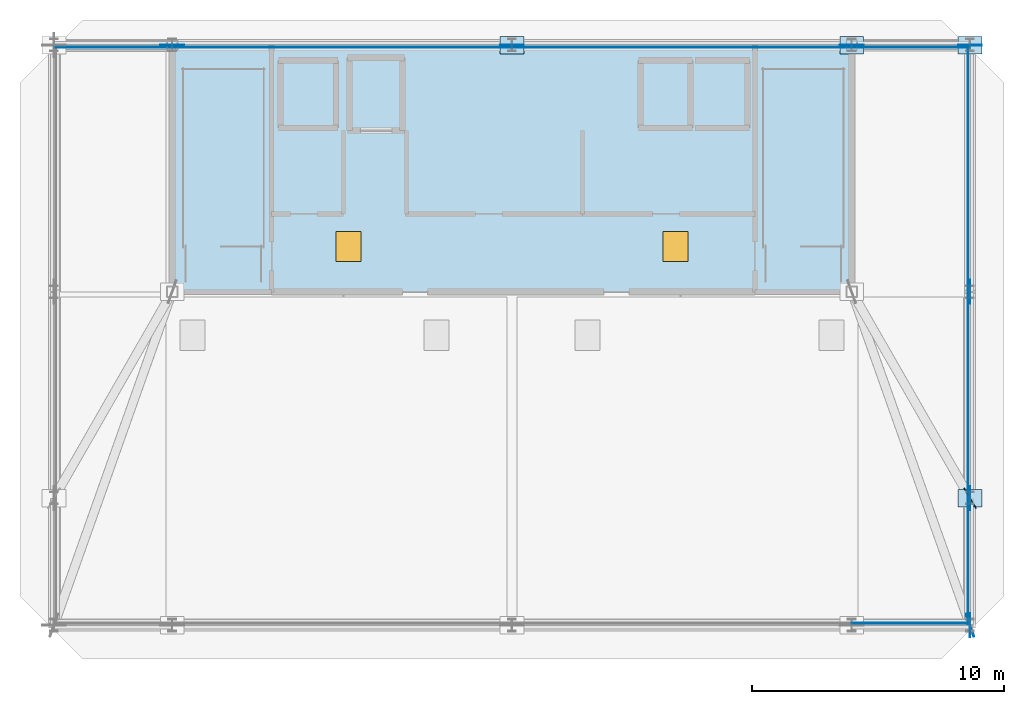
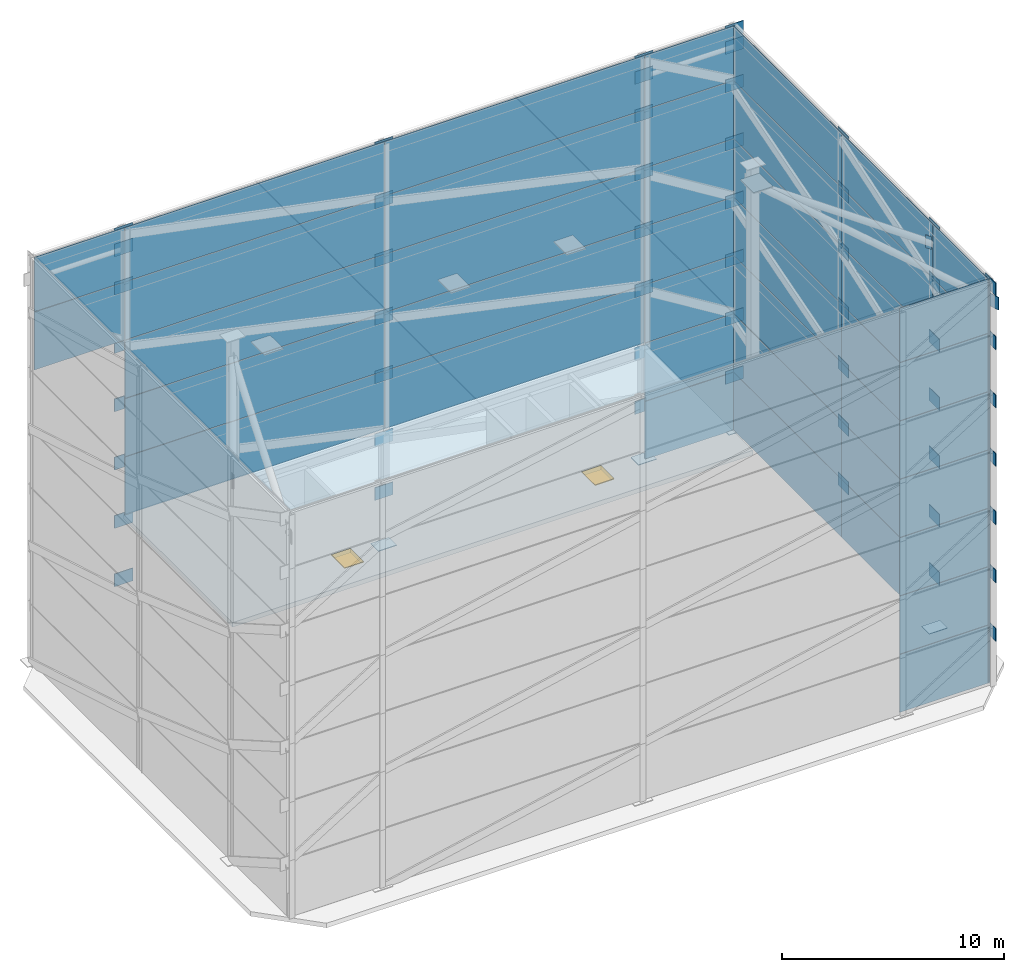
# One storey, part 5 of 8: 105 plates, 2 doors, 1 slab, 2 openings.
"""IFC4 building model written with IfcOpenShell, lengths in metres."""

from ifc_helpers import new_model, si_unit, direction, frame, origin, origin_2d, place, context, subcontext, project, spatial, polyline, rectangle, outline, extrude, material, layer, layer_set, type_object, element, fill, save


model = new_model("IFC4")

# Units and contexts
model_context = context("Model", 3, precision=1e-05, world=origin(), true_north=direction((0.0, 1.0)))
body_context = subcontext(model_context, "Body", "Model", "MODEL_VIEW")
ifc_project = project(units=[si_unit("LENGTHUNIT", "METRE"), si_unit("AREAUNIT", "SQUARE_METRE"), si_unit("VOLUMEUNIT", "CUBIC_METRE"), si_unit("PLANEANGLEUNIT", "RADIAN"), si_unit("MASSUNIT", "GRAM", prefix="KILO")], contexts=[model_context])

# Site, building, storey
site_placement = place(None, origin())
site = spatial("IfcSite", under=ifc_project, at=site_placement, CompositionType="ELEMENT")
building_placement = place(site_placement, origin())
building = spatial("IfcBuilding", under=site, at=building_placement, Name="Haevon Station Towers", CompositionType="ELEMENT")
storey_placement = place(building_placement, frame((0.0, 0.0, 270.0)))
storey = spatial("IfcBuildingStorey", under=building, at=storey_placement, Name="Roof", CompositionType="ELEMENT", Elevation=270.0)

# Plates
ifc_material_1 = material(Name="Anodised aluminium 6063-T6", Category="aluminium")
ifc_layer_1 = layer(ifc_material_1, 0.028076171875)
ifc_layer_set_1 = layer_set([ifc_layer_1], Name="Anodised aluminium 6063-T6")
plate_type_1 = type_object("IfcPlateType", Name="PL-CRNSCR", PredefinedType="USERDEFINED", material=ifc_layer_set_1)
plate_1_placement = place(storey_placement, frame((53.35009765625, 25.030029296875, 0.01025390625), z_axis=(0.0, 0.0, 1.0), x_axis=(1.0, 0.0, 0.0)))
element("IfcPlate", 1, at=plate_1_placement, inside=storey, type_object=plate_type_1, Name="Crown Perforated Acoustic Screen Plate T1-04", ObjectType="FLANGE_PLATE", PredefinedType="USERDEFINED", context=body_context, shape_type="SweptSolid", body=[
    extrude(rectangle(XDim=4.679931640625, YDim=0.028076171875, at=origin_2d()), origin(), (0.0, 0.0, 1.0), 3.179931640625),
])
plate_2_placement = place(storey_placement, frame((55.6201171875, 27.47509765625, 0.01025390625), z_axis=(0.0, 0.0, 1.0), x_axis=(0.0, 1.0, 0.0)))
element("IfcPlate", 2, at=plate_2_placement, inside=storey, type_object=plate_type_1, Name="Crown Perforated Acoustic Screen Plate T1-05", ObjectType="FLANGE_PLATE", PredefinedType="USERDEFINED", context=body_context, shape_type="SweptSolid", body=[
    extrude(rectangle(XDim=5.030029296875, YDim=0.028076171875, at=origin_2d()), origin(), (0.0, 0.0, 1.0), 3.179931640625),
])
plate_3_placement = place(storey_placement, frame((55.6201171875, 34.10009765625, 0.01025390625), z_axis=(0.0, 0.0, 1.0), x_axis=(0.0, 1.0, 0.0)))
element("IfcPlate", 3, at=plate_3_placement, inside=storey, type_object=plate_type_1, Name="Crown Perforated Acoustic Screen Plate T1-06", ObjectType="FLANGE_PLATE", PredefinedType="USERDEFINED", context=body_context, shape_type="SweptSolid", body=[
    extrude(rectangle(XDim=8.179931640625, YDim=0.028076171875, at=origin_2d()), origin(), (0.0, 0.0, 1.0), 3.179931640625),
])
plate_4_placement = place(storey_placement, frame((55.6201171875, 43.10009765625, 0.01025390625), z_axis=(0.0, 0.0, 1.0), x_axis=(0.0, 1.0, 0.0)))
element("IfcPlate", 4, at=plate_4_placement, inside=storey, type_object=plate_type_1, Name="Crown Perforated Acoustic Screen Plate T1-07", ObjectType="FLANGE_PLATE", PredefinedType="USERDEFINED", context=body_context, shape_type="SweptSolid", body=[
    extrude(rectangle(XDim=9.780029296875, YDim=0.028076171875, at=origin_2d()), origin(), (0.0, 0.0, 1.0), 3.179931640625),
])
for number, where, z_axis, x_axis, name in (
    (5, (53.35009765625, 47.919921875, 0.01025390625), (0.0, 0.0, 1.0), (-1.0, 0.0, 0.0), "Crown Perforated Acoustic Screen Plate T1-08"),
    (6, (53.35009765625, 25.030029296875, 3.2099609375), (0.0, 0.0, 1.0), (1.0, 0.0, 0.0), "Crown Perforated Acoustic Screen Plate T2-04"),
):
    element("IfcPlate", number, at=place(storey_placement, frame(where, z_axis=z_axis, x_axis=x_axis)), inside=storey, type_object=plate_type_1, Name=name, ObjectType="FLANGE_PLATE", PredefinedType="USERDEFINED", context=body_context, shape_type="SweptSolid", body=[
        extrude(rectangle(XDim=4.679931640625, YDim=0.028076171875, at=origin_2d()), origin(), (0.0, 0.0, 1.0), 3.179931640625),
    ])
plate_5_placement = place(storey_placement, frame((55.6201171875, 27.47509765625, 3.2099609375), z_axis=(0.0, 0.0, 1.0), x_axis=(0.0, 1.0, 0.0)))
element("IfcPlate", 7, at=plate_5_placement, inside=storey, type_object=plate_type_1, Name="Crown Perforated Acoustic Screen Plate T2-05", ObjectType="FLANGE_PLATE", PredefinedType="USERDEFINED", context=body_context, shape_type="SweptSolid", body=[
    extrude(rectangle(XDim=5.030029296875, YDim=0.028076171875, at=origin_2d()), origin(), (0.0, 0.0, 1.0), 3.179931640625),
])
plate_6_placement = place(storey_placement, frame((55.6201171875, 34.10009765625, 3.2099609375), z_axis=(0.0, 0.0, 1.0), x_axis=(0.0, 1.0, 0.0)))
element("IfcPlate", 8, at=plate_6_placement, inside=storey, type_object=plate_type_1, Name="Crown Perforated Acoustic Screen Plate T2-06", ObjectType="FLANGE_PLATE", PredefinedType="USERDEFINED", context=body_context, shape_type="SweptSolid", body=[
    extrude(rectangle(XDim=8.179931640625, YDim=0.028076171875, at=origin_2d()), origin(), (0.0, 0.0, 1.0), 3.179931640625),
])
plate_7_placement = place(storey_placement, frame((55.6201171875, 43.10009765625, 3.2099609375), z_axis=(0.0, 0.0, 1.0), x_axis=(0.0, 1.0, 0.0)))
element("IfcPlate", 9, at=plate_7_placement, inside=storey, type_object=plate_type_1, Name="Crown Perforated Acoustic Screen Plate T2-07", ObjectType="FLANGE_PLATE", PredefinedType="USERDEFINED", context=body_context, shape_type="SweptSolid", body=[
    extrude(rectangle(XDim=9.780029296875, YDim=0.028076171875, at=origin_2d()), origin(), (0.0, 0.0, 1.0), 3.179931640625),
])
for number, where, z_axis, x_axis, name in (
    (10, (53.35009765625, 47.919921875, 3.2099609375), (0.0, 0.0, 1.0), (-1.0, 0.0, 0.0), "Crown Perforated Acoustic Screen Plate T2-08"),
    (11, (53.35009765625, 25.030029296875, 6.41015625), (0.0, 0.0, 1.0), (1.0, 0.0, 0.0), "Crown Perforated Acoustic Screen Plate T3-04"),
):
    element("IfcPlate", number, at=place(storey_placement, frame(where, z_axis=z_axis, x_axis=x_axis)), inside=storey, type_object=plate_type_1, Name=name, ObjectType="FLANGE_PLATE", PredefinedType="USERDEFINED", context=body_context, shape_type="SweptSolid", body=[
        extrude(rectangle(XDim=4.679931640625, YDim=0.028076171875, at=origin_2d()), origin(), (0.0, 0.0, 1.0), 3.179931640625),
    ])
plate_8_placement = place(storey_placement, frame((55.6201171875, 27.47509765625, 6.41015625), z_axis=(0.0, 0.0, 1.0), x_axis=(0.0, 1.0, 0.0)))
element("IfcPlate", 12, at=plate_8_placement, inside=storey, type_object=plate_type_1, Name="Crown Perforated Acoustic Screen Plate T3-05", ObjectType="FLANGE_PLATE", PredefinedType="USERDEFINED", context=body_context, shape_type="SweptSolid", body=[
    extrude(rectangle(XDim=5.030029296875, YDim=0.028076171875, at=origin_2d()), origin(), (0.0, 0.0, 1.0), 3.179931640625),
])
plate_9_placement = place(storey_placement, frame((55.6201171875, 34.10009765625, 6.41015625), z_axis=(0.0, 0.0, 1.0), x_axis=(0.0, 1.0, 0.0)))
element("IfcPlate", 13, at=plate_9_placement, inside=storey, type_object=plate_type_1, Name="Crown Perforated Acoustic Screen Plate T3-06", ObjectType="FLANGE_PLATE", PredefinedType="USERDEFINED", context=body_context, shape_type="SweptSolid", body=[
    extrude(rectangle(XDim=8.179931640625, YDim=0.028076171875, at=origin_2d()), origin(), (0.0, 0.0, 1.0), 3.179931640625),
])
plate_10_placement = place(storey_placement, frame((55.6201171875, 43.10009765625, 6.41015625), z_axis=(0.0, 0.0, 1.0), x_axis=(0.0, 1.0, 0.0)))
element("IfcPlate", 14, at=plate_10_placement, inside=storey, type_object=plate_type_1, Name="Crown Perforated Acoustic Screen Plate T3-07", ObjectType="FLANGE_PLATE", PredefinedType="USERDEFINED", context=body_context, shape_type="SweptSolid", body=[
    extrude(rectangle(XDim=9.780029296875, YDim=0.028076171875, at=origin_2d()), origin(), (0.0, 0.0, 1.0), 3.179931640625),
])
plate_11_placement = place(storey_placement, frame((53.35009765625, 47.919921875, 6.41015625), z_axis=(0.0, 0.0, 1.0), x_axis=(-1.0, 0.0, 0.0)))
element("IfcPlate", 15, at=plate_11_placement, inside=storey, type_object=plate_type_1, Name="Crown Perforated Acoustic Screen Plate T3-08", ObjectType="FLANGE_PLATE", PredefinedType="USERDEFINED", context=body_context, shape_type="SweptSolid", body=[
    extrude(rectangle(XDim=4.679931640625, YDim=0.028076171875, at=origin_2d()), origin(), (0.0, 0.0, 1.0), 3.179931640625),
])
for number, where, z_axis, x_axis, name in (
    (16, (44.25, 47.919921875, 6.41015625), (0.0, 0.0, 1.0), (-1.0, 0.0, 0.0), "Crown Perforated Acoustic Screen Plate T3-09"),
    (17, (30.75, 47.919921875, 6.41015625), (0.0, 0.0, 1.0), (-1.0, 0.0, 0.0), "Crown Perforated Acoustic Screen Plate T3-10"),
):
    element("IfcPlate", number, at=place(storey_placement, frame(where, z_axis=z_axis, x_axis=x_axis)), inside=storey, type_object=plate_type_1, Name=name, ObjectType="FLANGE_PLATE", PredefinedType="USERDEFINED", context=body_context, shape_type="SweptSolid", body=[
        extrude(rectangle(XDim=13.47998046875, YDim=0.028076171875, at=origin_2d()), origin(), (0.0, 0.0, 1.0), 3.179931640625),
    ])
plate_12_placement = place(storey_placement, frame((53.35009765625, 25.030029296875, 9.60986328125), z_axis=(0.0, 0.0, 1.0), x_axis=(1.0, 0.0, 0.0)))
element("IfcPlate", 18, at=plate_12_placement, inside=storey, type_object=plate_type_1, Name="Crown Perforated Acoustic Screen Plate T4-04", ObjectType="FLANGE_PLATE", PredefinedType="USERDEFINED", context=body_context, shape_type="SweptSolid", body=[
    extrude(rectangle(XDim=4.679931640625, YDim=0.028076171875, at=origin_2d()), origin(), (0.0, 0.0, 1.0), 3.179931640625),
])
plate_13_placement = place(storey_placement, frame((55.6201171875, 27.47509765625, 9.60986328125), z_axis=(0.0, 0.0, 1.0), x_axis=(0.0, 1.0, 0.0)))
element("IfcPlate", 19, at=plate_13_placement, inside=storey, type_object=plate_type_1, Name="Crown Perforated Acoustic Screen Plate T4-05", ObjectType="FLANGE_PLATE", PredefinedType="USERDEFINED", context=body_context, shape_type="SweptSolid", body=[
    extrude(rectangle(XDim=5.030029296875, YDim=0.028076171875, at=origin_2d()), origin(), (0.0, 0.0, 1.0), 3.179931640625),
])
plate_14_placement = place(storey_placement, frame((55.6201171875, 34.10009765625, 9.60986328125), z_axis=(0.0, 0.0, 1.0), x_axis=(0.0, 1.0, 0.0)))
element("IfcPlate", 20, at=plate_14_placement, inside=storey, type_object=plate_type_1, Name="Crown Perforated Acoustic Screen Plate T4-06", ObjectType="FLANGE_PLATE", PredefinedType="USERDEFINED", context=body_context, shape_type="SweptSolid", body=[
    extrude(rectangle(XDim=8.179931640625, YDim=0.028076171875, at=origin_2d()), origin(), (0.0, 0.0, 1.0), 3.179931640625),
])
plate_15_placement = place(storey_placement, frame((55.6201171875, 43.10009765625, 9.60986328125), z_axis=(0.0, 0.0, 1.0), x_axis=(0.0, 1.0, 0.0)))
element("IfcPlate", 21, at=plate_15_placement, inside=storey, type_object=plate_type_1, Name="Crown Perforated Acoustic Screen Plate T4-07", ObjectType="FLANGE_PLATE", PredefinedType="USERDEFINED", context=body_context, shape_type="SweptSolid", body=[
    extrude(rectangle(XDim=9.780029296875, YDim=0.028076171875, at=origin_2d()), origin(), (0.0, 0.0, 1.0), 3.179931640625),
])
plate_16_placement = place(storey_placement, frame((53.35009765625, 47.919921875, 9.60986328125), z_axis=(0.0, 0.0, 1.0), x_axis=(-1.0, 0.0, 0.0)))
element("IfcPlate", 22, at=plate_16_placement, inside=storey, type_object=plate_type_1, Name="Crown Perforated Acoustic Screen Plate T4-08", ObjectType="FLANGE_PLATE", PredefinedType="USERDEFINED", context=body_context, shape_type="SweptSolid", body=[
    extrude(rectangle(XDim=4.679931640625, YDim=0.028076171875, at=origin_2d()), origin(), (0.0, 0.0, 1.0), 3.179931640625),
])
for number, where, z_axis, x_axis, name in (
    (23, (44.25, 47.919921875, 9.60986328125), (0.0, 0.0, 1.0), (-1.0, 0.0, 0.0), "Crown Perforated Acoustic Screen Plate T4-09"),
    (24, (30.75, 47.919921875, 9.60986328125), (0.0, 0.0, 1.0), (-1.0, 0.0, 0.0), "Crown Perforated Acoustic Screen Plate T4-10"),
):
    element("IfcPlate", number, at=place(storey_placement, frame(where, z_axis=z_axis, x_axis=x_axis)), inside=storey, type_object=plate_type_1, Name=name, ObjectType="FLANGE_PLATE", PredefinedType="USERDEFINED", context=body_context, shape_type="SweptSolid", body=[
        extrude(rectangle(XDim=13.47998046875, YDim=0.028076171875, at=origin_2d()), origin(), (0.0, 0.0, 1.0), 3.179931640625),
    ])
plate_17_placement = place(storey_placement, frame((53.35009765625, 25.030029296875, 12.81005859375), z_axis=(0.0, 0.0, 1.0), x_axis=(1.0, 0.0, 0.0)))
element("IfcPlate", 25, at=plate_17_placement, inside=storey, type_object=plate_type_1, Name="Crown Perforated Acoustic Screen Plate T5-04", ObjectType="FLANGE_PLATE", PredefinedType="USERDEFINED", context=body_context, shape_type="SweptSolid", body=[
    extrude(rectangle(XDim=4.679931640625, YDim=0.028076171875, at=origin_2d()), origin(), (0.0, 0.0, 1.0), 3.179931640625),
])
plate_18_placement = place(storey_placement, frame((55.6201171875, 27.47509765625, 12.81005859375), z_axis=(0.0, 0.0, 1.0), x_axis=(0.0, 1.0, 0.0)))
element("IfcPlate", 26, at=plate_18_placement, inside=storey, type_object=plate_type_1, Name="Crown Perforated Acoustic Screen Plate T5-05", ObjectType="FLANGE_PLATE", PredefinedType="USERDEFINED", context=body_context, shape_type="SweptSolid", body=[
    extrude(rectangle(XDim=5.030029296875, YDim=0.028076171875, at=origin_2d()), origin(), (0.0, 0.0, 1.0), 3.179931640625),
])
plate_19_placement = place(storey_placement, frame((55.6201171875, 34.10009765625, 12.81005859375), z_axis=(0.0, 0.0, 1.0), x_axis=(0.0, 1.0, 0.0)))
element("IfcPlate", 27, at=plate_19_placement, inside=storey, type_object=plate_type_1, Name="Crown Perforated Acoustic Screen Plate T5-06", ObjectType="FLANGE_PLATE", PredefinedType="USERDEFINED", context=body_context, shape_type="SweptSolid", body=[
    extrude(rectangle(XDim=8.179931640625, YDim=0.028076171875, at=origin_2d()), origin(), (0.0, 0.0, 1.0), 3.179931640625),
])
plate_20_placement = place(storey_placement, frame((55.6201171875, 43.10009765625, 12.81005859375), z_axis=(0.0, 0.0, 1.0), x_axis=(0.0, 1.0, 0.0)))
element("IfcPlate", 28, at=plate_20_placement, inside=storey, type_object=plate_type_1, Name="Crown Perforated Acoustic Screen Plate T5-07", ObjectType="FLANGE_PLATE", PredefinedType="USERDEFINED", context=body_context, shape_type="SweptSolid", body=[
    extrude(rectangle(XDim=9.780029296875, YDim=0.028076171875, at=origin_2d()), origin(), (0.0, 0.0, 1.0), 3.179931640625),
])
plate_21_placement = place(storey_placement, frame((53.35009765625, 47.919921875, 12.81005859375), z_axis=(0.0, 0.0, 1.0), x_axis=(-1.0, 0.0, 0.0)))
element("IfcPlate", 29, at=plate_21_placement, inside=storey, type_object=plate_type_1, Name="Crown Perforated Acoustic Screen Plate T5-08", ObjectType="FLANGE_PLATE", PredefinedType="USERDEFINED", context=body_context, shape_type="SweptSolid", body=[
    extrude(rectangle(XDim=4.679931640625, YDim=0.028076171875, at=origin_2d()), origin(), (0.0, 0.0, 1.0), 3.179931640625),
])
for number, where, z_axis, x_axis, name in (
    (30, (44.25, 47.919921875, 12.81005859375), (0.0, 0.0, 1.0), (-1.0, 0.0, 0.0), "Crown Perforated Acoustic Screen Plate T5-09"),
    (31, (30.75, 47.919921875, 12.81005859375), (0.0, 0.0, 1.0), (-1.0, 0.0, 0.0), "Crown Perforated Acoustic Screen Plate T5-10"),
):
    element("IfcPlate", number, at=place(storey_placement, frame(where, z_axis=z_axis, x_axis=x_axis)), inside=storey, type_object=plate_type_1, Name=name, ObjectType="FLANGE_PLATE", PredefinedType="USERDEFINED", context=body_context, shape_type="SweptSolid", body=[
        extrude(rectangle(XDim=13.47998046875, YDim=0.028076171875, at=origin_2d()), origin(), (0.0, 0.0, 1.0), 3.179931640625),
    ])
plate_22_placement = place(storey_placement, frame((53.35009765625, 25.030029296875, 16.01025390625), z_axis=(0.0, 0.0, 1.0), x_axis=(1.0, 0.0, 0.0)))
element("IfcPlate", 32, at=plate_22_placement, inside=storey, type_object=plate_type_1, Name="Crown Perforated Acoustic Screen Plate T6-04", ObjectType="FLANGE_PLATE", PredefinedType="USERDEFINED", context=body_context, shape_type="SweptSolid", body=[
    extrude(rectangle(XDim=4.679931640625, YDim=0.028076171875, at=origin_2d()), origin(), (0.0, 0.0, 1.0), 3.179931640625),
])
plate_23_placement = place(storey_placement, frame((55.6201171875, 27.47509765625, 16.01025390625), z_axis=(0.0, 0.0, 1.0), x_axis=(0.0, 1.0, 0.0)))
element("IfcPlate", 33, at=plate_23_placement, inside=storey, type_object=plate_type_1, Name="Crown Perforated Acoustic Screen Plate T6-05", ObjectType="FLANGE_PLATE", PredefinedType="USERDEFINED", context=body_context, shape_type="SweptSolid", body=[
    extrude(rectangle(XDim=5.030029296875, YDim=0.028076171875, at=origin_2d()), origin(), (0.0, 0.0, 1.0), 3.179931640625),
])
plate_24_placement = place(storey_placement, frame((55.6201171875, 34.10009765625, 16.01025390625), z_axis=(0.0, 0.0, 1.0), x_axis=(0.0, 1.0, 0.0)))
element("IfcPlate", 34, at=plate_24_placement, inside=storey, type_object=plate_type_1, Name="Crown Perforated Acoustic Screen Plate T6-06", ObjectType="FLANGE_PLATE", PredefinedType="USERDEFINED", context=body_context, shape_type="SweptSolid", body=[
    extrude(rectangle(XDim=8.179931640625, YDim=0.028076171875, at=origin_2d()), origin(), (0.0, 0.0, 1.0), 3.179931640625),
])
plate_25_placement = place(storey_placement, frame((55.6201171875, 43.10009765625, 16.01025390625), z_axis=(0.0, 0.0, 1.0), x_axis=(0.0, 1.0, 0.0)))
element("IfcPlate", 35, at=plate_25_placement, inside=storey, type_object=plate_type_1, Name="Crown Perforated Acoustic Screen Plate T6-07", ObjectType="FLANGE_PLATE", PredefinedType="USERDEFINED", context=body_context, shape_type="SweptSolid", body=[
    extrude(rectangle(XDim=9.780029296875, YDim=0.028076171875, at=origin_2d()), origin(), (0.0, 0.0, 1.0), 3.179931640625),
])
plate_26_placement = place(storey_placement, frame((53.35009765625, 47.919921875, 16.01025390625), z_axis=(0.0, 0.0, 1.0), x_axis=(-1.0, 0.0, 0.0)))
element("IfcPlate", 36, at=plate_26_placement, inside=storey, type_object=plate_type_1, Name="Crown Perforated Acoustic Screen Plate T6-08", ObjectType="FLANGE_PLATE", PredefinedType="USERDEFINED", context=body_context, shape_type="SweptSolid", body=[
    extrude(rectangle(XDim=4.679931640625, YDim=0.028076171875, at=origin_2d()), origin(), (0.0, 0.0, 1.0), 3.179931640625),
])
for number, where, z_axis, x_axis, name in (
    (37, (44.25, 47.919921875, 16.01025390625), (0.0, 0.0, 1.0), (-1.0, 0.0, 0.0), "Crown Perforated Acoustic Screen Plate T6-09"),
    (38, (30.75, 47.919921875, 16.01025390625), (0.0, 0.0, 1.0), (-1.0, 0.0, 0.0), "Crown Perforated Acoustic Screen Plate T6-10"),
):
    element("IfcPlate", number, at=place(storey_placement, frame(where, z_axis=z_axis, x_axis=x_axis)), inside=storey, type_object=plate_type_1, Name=name, ObjectType="FLANGE_PLATE", PredefinedType="USERDEFINED", context=body_context, shape_type="SweptSolid", body=[
        extrude(rectangle(XDim=13.47998046875, YDim=0.028076171875, at=origin_2d()), origin(), (0.0, 0.0, 1.0), 3.179931640625),
    ])
plate_27_placement = place(storey_placement, frame((21.64990234375, 47.919921875, 16.01025390625), z_axis=(0.0, 0.0, 1.0), x_axis=(-1.0, 0.0, 0.0)))
element("IfcPlate", 39, at=plate_27_placement, inside=storey, type_object=plate_type_1, Name="Crown Perforated Acoustic Screen Plate T6-11", ObjectType="FLANGE_PLATE", PredefinedType="USERDEFINED", context=body_context, shape_type="SweptSolid", body=[
    extrude(rectangle(XDim=4.679931640625, YDim=0.028076171875, at=origin_2d()), origin(), (0.0, 0.0, 1.0), 3.179931640625),
])
plate_28_placement = place(storey_placement, frame((53.35009765625, 25.030029296875, 19.2099609375), z_axis=(0.0, 0.0, 1.0), x_axis=(1.0, 0.0, 0.0)))
element("IfcPlate", 40, at=plate_28_placement, inside=storey, type_object=plate_type_1, Name="Crown Perforated Acoustic Screen Plate T7-04", ObjectType="FLANGE_PLATE", PredefinedType="USERDEFINED", context=body_context, shape_type="SweptSolid", body=[
    extrude(rectangle(XDim=4.679931640625, YDim=0.028076171875, at=origin_2d()), origin(), (0.0, 0.0, 1.0), 2.97998046875),
])
plate_29_placement = place(storey_placement, frame((55.6201171875, 27.47509765625, 19.2099609375), z_axis=(0.0, 0.0, 1.0), x_axis=(0.0, 1.0, 0.0)))
element("IfcPlate", 41, at=plate_29_placement, inside=storey, type_object=plate_type_1, Name="Crown Perforated Acoustic Screen Plate T7-05", ObjectType="FLANGE_PLATE", PredefinedType="USERDEFINED", context=body_context, shape_type="SweptSolid", body=[
    extrude(rectangle(XDim=5.030029296875, YDim=0.028076171875, at=origin_2d()), origin(), (0.0, 0.0, 1.0), 2.97998046875),
])
plate_30_placement = place(storey_placement, frame((55.6201171875, 34.10009765625, 19.2099609375), z_axis=(0.0, 0.0, 1.0), x_axis=(0.0, 1.0, 0.0)))
element("IfcPlate", 42, at=plate_30_placement, inside=storey, type_object=plate_type_1, Name="Crown Perforated Acoustic Screen Plate T7-06", ObjectType="FLANGE_PLATE", PredefinedType="USERDEFINED", context=body_context, shape_type="SweptSolid", body=[
    extrude(rectangle(XDim=8.179931640625, YDim=0.028076171875, at=origin_2d()), origin(), (0.0, 0.0, 1.0), 2.97998046875),
])
plate_31_placement = place(storey_placement, frame((55.6201171875, 43.10009765625, 19.2099609375), z_axis=(0.0, 0.0, 1.0), x_axis=(0.0, 1.0, 0.0)))
element("IfcPlate", 43, at=plate_31_placement, inside=storey, type_object=plate_type_1, Name="Crown Perforated Acoustic Screen Plate T7-07", ObjectType="FLANGE_PLATE", PredefinedType="USERDEFINED", context=body_context, shape_type="SweptSolid", body=[
    extrude(rectangle(XDim=9.780029296875, YDim=0.028076171875, at=origin_2d()), origin(), (0.0, 0.0, 1.0), 2.97998046875),
])
plate_32_placement = place(storey_placement, frame((53.35009765625, 47.919921875, 19.2099609375), z_axis=(0.0, 0.0, 1.0), x_axis=(-1.0, 0.0, 0.0)))
element("IfcPlate", 44, at=plate_32_placement, inside=storey, type_object=plate_type_1, Name="Crown Perforated Acoustic Screen Plate T7-08", ObjectType="FLANGE_PLATE", PredefinedType="USERDEFINED", context=body_context, shape_type="SweptSolid", body=[
    extrude(rectangle(XDim=4.679931640625, YDim=0.028076171875, at=origin_2d()), origin(), (0.0, 0.0, 1.0), 2.97998046875),
])
for number, where, z_axis, x_axis, name in (
    (45, (44.25, 47.919921875, 19.2099609375), (0.0, 0.0, 1.0), (-1.0, 0.0, 0.0), "Crown Perforated Acoustic Screen Plate T7-09"),
    (46, (30.75, 47.919921875, 19.2099609375), (0.0, 0.0, 1.0), (-1.0, 0.0, 0.0), "Crown Perforated Acoustic Screen Plate T7-10"),
):
    element("IfcPlate", number, at=place(storey_placement, frame(where, z_axis=z_axis, x_axis=x_axis)), inside=storey, type_object=plate_type_1, Name=name, ObjectType="FLANGE_PLATE", PredefinedType="USERDEFINED", context=body_context, shape_type="SweptSolid", body=[
        extrude(rectangle(XDim=13.47998046875, YDim=0.028076171875, at=origin_2d()), origin(), (0.0, 0.0, 1.0), 2.97998046875),
    ])
plate_33_placement = place(storey_placement, frame((21.64990234375, 47.919921875, 19.2099609375), z_axis=(0.0, 0.0, 1.0), x_axis=(-1.0, 0.0, 0.0)))
element("IfcPlate", 47, at=plate_33_placement, inside=storey, type_object=plate_type_1, Name="Crown Perforated Acoustic Screen Plate T7-11", ObjectType="FLANGE_PLATE", PredefinedType="USERDEFINED", context=body_context, shape_type="SweptSolid", body=[
    extrude(rectangle(XDim=4.679931640625, YDim=0.028076171875, at=origin_2d()), origin(), (0.0, 0.0, 1.0), 2.97998046875),
])
ifc_material_2 = material(Name="PL-FLG2", Category="steel")
ifc_layer_2 = layer(ifc_material_2, 0.035888671875)
ifc_layer_set_2 = layer_set([ifc_layer_2], Name="PL-FLG2")
plate_type_2 = type_object("IfcPlateType", Name="PL-FLG2", PredefinedType="USERDEFINED", material=ifc_layer_set_2)
for number, where, z_axis, x_axis, name in (
    (48, (55.699951171875, 30.0, 0.0), (0.0, 0.0, 1.0), (1.0, 0.0, 0.0), "CROWN FRAME Base Plate 06"),
    (49, (55.699951171875, 48.0, 0.0), (0.0, 0.0, 1.0), (1.0, 0.0, 0.0), "CROWN FRAME Base Plate 08"),
    (50, (51.0, 48.0, 0.0), (0.0, 0.0, 1.0), (1.0, 0.0, 0.0), "CROWN FRAME Base Plate 09"),
    (51, (37.5, 48.0, 0.0), (0.0, 0.0, 1.0), (1.0, 0.0, 0.0), "CROWN FRAME Base Plate 10"),
):
    element("IfcPlate", number, at=place(storey_placement, frame(where, z_axis=z_axis, x_axis=x_axis)), inside=storey, type_object=plate_type_2, Name=name, ObjectType="FLANGE_PLATE", PredefinedType="USERDEFINED", context=body_context, shape_type="SweptSolid", body=[
        extrude(rectangle(XDim=0.949951171875, YDim=0.699951171875, at=origin_2d()), origin(), (0.0, 0.0, 1.0), 0.035888671875),
    ])
for number, where, z_axis, x_axis, name in (
    (52, (55.699951171875, 24.949951171875, 2.60009765625), (0.0, 0.0, 1.0), (0.0, 1.0, 0.0), "PL-CRN-NODE-T1-05"),
    (53, (55.699951171875, 30.0, 2.60009765625), (0.0, 0.0, 1.0), (0.0, 1.0, 0.0), "PL-CRN-NODE-T1-06"),
    (54, (55.699951171875, 38.199951171875, 2.60009765625), (0.0, 0.0, 1.0), (0.0, 1.0, 0.0), "PL-CRN-NODE-T1-07"),
    (55, (55.699951171875, 48.0, 2.60009765625), (0.0, 0.0, 1.0), (-1.0, 0.0, 0.0), "PL-CRN-NODE-T1-08"),
    (56, (51.0, 48.0, 2.60009765625), (0.0, 0.0, 1.0), (-1.0, 0.0, 0.0), "PL-CRN-NODE-T1-09"),
    (57, (37.5, 48.0, 2.60009765625), (0.0, 0.0, 1.0), (-1.0, 0.0, 0.0), "PL-CRN-NODE-T1-10"),
    (58, (24.0, 48.0, 2.60009765625), (0.0, 0.0, 1.0), (-1.0, 0.0, 0.0), "PL-CRN-NODE-T1-11"),
    (59, (55.699951171875, 24.949951171875, 5.7998046875), (0.0, 0.0, 1.0), (0.0, 1.0, 0.0), "PL-CRN-NODE-T2-05"),
    (60, (55.699951171875, 30.0, 5.7998046875), (0.0, 0.0, 1.0), (0.0, 1.0, 0.0), "PL-CRN-NODE-T2-06"),
    (61, (55.699951171875, 38.199951171875, 5.7998046875), (0.0, 0.0, 1.0), (0.0, 1.0, 0.0), "PL-CRN-NODE-T2-07"),
    (62, (55.699951171875, 48.0, 5.7998046875), (0.0, 0.0, 1.0), (-1.0, 0.0, 0.0), "PL-CRN-NODE-T2-08"),
    (63, (51.0, 48.0, 5.5498046875), (0.0, 0.0, 1.0), (-1.0, 0.0, 0.0), "PL-CRN-NODE-T2-09"),
    (64, (37.5, 48.0, 5.5498046875), (0.0, 0.0, 1.0), (-1.0, 0.0, 0.0), "PL-CRN-NODE-T2-10"),
    (65, (24.0, 48.0, 5.7998046875), (0.0, 0.0, 1.0), (-1.0, 0.0, 0.0), "PL-CRN-NODE-T2-11"),
    (66, (55.699951171875, 24.949951171875, 9.0), (0.0, 0.0, 1.0), (0.0, 1.0, 0.0), "PL-CRN-NODE-T3-05"),
    (67, (55.699951171875, 30.0, 9.0), (0.0, 0.0, 1.0), (0.0, 1.0, 0.0), "PL-CRN-NODE-T3-06"),
    (68, (55.699951171875, 38.199951171875, 9.0), (0.0, 0.0, 1.0), (0.0, 1.0, 0.0), "PL-CRN-NODE-T3-07"),
    (69, (55.699951171875, 48.0, 9.0), (0.0, 0.0, 1.0), (-1.0, 0.0, 0.0), "PL-CRN-NODE-T3-08"),
    (70, (51.0, 48.0, 9.0), (0.0, 0.0, 1.0), (-1.0, 0.0, 0.0), "PL-CRN-NODE-T3-09"),
    (71, (37.5, 48.0, 9.0), (0.0, 0.0, 1.0), (-1.0, 0.0, 0.0), "PL-CRN-NODE-T3-10"),
    (72, (24.0, 48.0, 9.0), (0.0, 0.0, 1.0), (-1.0, 0.0, 0.0), "PL-CRN-NODE-T3-11"),
    (73, (55.699951171875, 24.949951171875, 12.2001953125), (0.0, 0.0, 1.0), (0.0, 1.0, 0.0), "PL-CRN-NODE-T4-05"),
    (74, (55.699951171875, 30.0, 12.2001953125), (0.0, 0.0, 1.0), (0.0, 1.0, 0.0), "PL-CRN-NODE-T4-06"),
    (75, (55.699951171875, 38.199951171875, 12.2001953125), (0.0, 0.0, 1.0), (0.0, 1.0, 0.0), "PL-CRN-NODE-T4-07"),
    (76, (55.699951171875, 48.0, 12.2001953125), (0.0, 0.0, 1.0), (-1.0, 0.0, 0.0), "PL-CRN-NODE-T4-08"),
    (77, (51.0, 48.0, 12.2001953125), (0.0, 0.0, 1.0), (-1.0, 0.0, 0.0), "PL-CRN-NODE-T4-09"),
    (78, (37.5, 48.0, 12.2001953125), (0.0, 0.0, 1.0), (-1.0, 0.0, 0.0), "PL-CRN-NODE-T4-10"),
    (79, (24.0, 48.0, 12.2001953125), (0.0, 0.0, 1.0), (-1.0, 0.0, 0.0), "PL-CRN-NODE-T4-11"),
    (80, (55.699951171875, 24.949951171875, 15.39990234375), (0.0, 0.0, 1.0), (0.0, 1.0, 0.0), "PL-CRN-NODE-T5-05"),
    (81, (55.699951171875, 30.0, 15.39990234375), (0.0, 0.0, 1.0), (0.0, 1.0, 0.0), "PL-CRN-NODE-T5-06"),
    (82, (55.699951171875, 38.199951171875, 15.39990234375), (0.0, 0.0, 1.0), (0.0, 1.0, 0.0), "PL-CRN-NODE-T5-07"),
    (83, (55.699951171875, 48.0, 15.39990234375), (0.0, 0.0, 1.0), (-1.0, 0.0, 0.0), "PL-CRN-NODE-T5-08"),
    (84, (51.0, 48.0, 15.39990234375), (0.0, 0.0, 1.0), (-1.0, 0.0, 0.0), "PL-CRN-NODE-T5-09"),
    (85, (37.5, 48.0, 15.39990234375), (0.0, 0.0, 1.0), (-1.0, 0.0, 0.0), "PL-CRN-NODE-T5-10"),
    (86, (24.0, 48.0, 15.39990234375), (0.0, 0.0, 1.0), (-1.0, 0.0, 0.0), "PL-CRN-NODE-T5-11"),
    (87, (55.699951171875, 24.949951171875, 18.60009765625), (0.0, 0.0, 1.0), (0.0, 1.0, 0.0), "PL-CRN-NODE-T6-05"),
    (88, (55.699951171875, 30.0, 18.60009765625), (0.0, 0.0, 1.0), (0.0, 1.0, 0.0), "PL-CRN-NODE-T6-06"),
    (89, (55.699951171875, 38.199951171875, 18.60009765625), (0.0, 0.0, 1.0), (0.0, 1.0, 0.0), "PL-CRN-NODE-T6-07"),
    (90, (55.699951171875, 48.0, 18.60009765625), (0.0, 0.0, 1.0), (-1.0, 0.0, 0.0), "PL-CRN-NODE-T6-08"),
    (91, (51.0, 48.0, 18.60009765625), (0.0, 0.0, 1.0), (-1.0, 0.0, 0.0), "PL-CRN-NODE-T6-09"),
    (92, (37.5, 48.0, 18.60009765625), (0.0, 0.0, 1.0), (-1.0, 0.0, 0.0), "PL-CRN-NODE-T6-10"),
    (93, (24.0, 48.0, 18.60009765625), (0.0, 0.0, 1.0), (-1.0, 0.0, 0.0), "PL-CRN-NODE-T6-11"),
    (94, (55.699951171875, 24.949951171875, 21.5498046875), (0.0, 0.0, 1.0), (0.0, 1.0, 0.0), "PL-CRN-NODE-T7-05"),
    (95, (55.699951171875, 30.0, 21.5498046875), (0.0, 0.0, 1.0), (0.0, 1.0, 0.0), "PL-CRN-NODE-T7-06"),
    (96, (55.699951171875, 38.199951171875, 21.5498046875), (0.0, 0.0, 1.0), (0.0, 1.0, 0.0), "PL-CRN-NODE-T7-07"),
    (97, (55.699951171875, 48.0, 21.5498046875), (0.0, 0.0, 1.0), (-1.0, 0.0, 0.0), "PL-CRN-NODE-T7-08"),
    (98, (51.0, 48.0, 21.5498046875), (0.0, 0.0, 1.0), (-1.0, 0.0, 0.0), "PL-CRN-NODE-T7-09"),
    (99, (37.5, 48.0, 21.5498046875), (0.0, 0.0, 1.0), (-1.0, 0.0, 0.0), "PL-CRN-NODE-T7-10"),
    (100, (24.0, 48.0, 21.5498046875), (0.0, 0.0, 1.0), (-1.0, 0.0, 0.0), "PL-CRN-NODE-T7-11"),
    (101, (55.699951171875, 24.949951171875, 20.7001953125), (0.0, 0.0, 1.0), (-0.334308603944, 0.942463663665, 0.0), "PL-CRN-ST-2-E1"),
    (102, (55.699951171875, 48.0, 20.7001953125), (0.0, 0.0, 1.0), (-1.0, 0.0, 0.0), "PL-CRN-ST-3-E1"),
    (103, (51.0, 48.0, 20.7001953125), (0.0, 0.0, 1.0), (-1.0, 0.0, 0.0), "PL-CRN-ST-3-E2"),
    (104, (24.0, 48.0, 20.7001953125), (0.0, 0.0, 1.0), (1.0, 0.0, 0.0), "PL-CRN-ST-4-E2"),
    (105, (55.699951171875, 30.0, 20.7001953125), (0.0, 0.0, 1.0), (-0.497278352263, 0.867591055954, 0.0), "PL-CRN-ST-6-E1"),
):
    element("IfcPlate", number, at=place(storey_placement, frame(where, z_axis=z_axis, x_axis=x_axis)), inside=storey, type_object=plate_type_2, Name=name, ObjectType="FLANGE_PLATE", PredefinedType="USERDEFINED", context=body_context, shape_type="SweptSolid", body=[
        extrude(rectangle(XDim=0.949951171875, YDim=0.035888671875, at=origin_2d()), origin(), (0.0, 0.0, 1.0), 0.699951171875),
    ])

# Slab, openings, doors
ifc_material_3 = material(Name="Concrete C40/50", Category="concrete")
ifc_layer_3 = layer(ifc_material_3, 0.25)
ifc_layer_set_3 = layer_set([ifc_layer_3], Name="Concrete C40/50")
slab_type = type_object("IfcSlabType", Name="SL-TW250", PredefinedType="FLOOR", material=ifc_layer_set_3)
slab_placement = place(storey_placement, frame((0.0, 0.0, 6.14990234375)))
slab = element("IfcSlab", 106, at=slab_placement, inside=storey, type_object=slab_type, Name="Rooftop Lift Overrun and Water Tank Plant Room Ceiling Deck Slab", PredefinedType="FLOOR", context=body_context, shape_type="SweptSolid", body=[
    extrude(outline(polyline([(24.0, 38.199951171875), (51.0, 38.199951171875), (51.0, 48.0), (24.0, 48.0), (24.0, 38.199951171875)])), origin(), (0.0, 0.0, 1.0), 0.25),
])
opening_1_placement = place(slab_placement, frame((31.0, 40.0, -0.010009765625)))
opening_1 = element("IfcOpeningElement", 107, at=opening_1_placement, cuts=slab, Name="Opening DR-HATCH-RF-01", PredefinedType="OPENING", context=body_context, shape_type="SweptSolid", body=[
    extrude(rectangle(XDim=1.0, YDim=1.199951171875, at=origin_2d()), origin(), (0.0, 0.0, 1.0), 0.27001953125),
])
opening_2_placement = place(slab_placement, frame((44.0, 40.0, -0.010009765625)))
opening_2 = element("IfcOpeningElement", 108, at=opening_2_placement, cuts=slab, Name="Opening DR-HATCH-RF-02", PredefinedType="OPENING", context=body_context, shape_type="SweptSolid", body=[
    extrude(rectangle(XDim=1.0, YDim=1.199951171875, at=origin_2d()), origin(), (0.0, 0.0, 1.0), 0.27001953125),
])
ifc_material_4 = material(Name="Thermally broken anodised aluminium and laminated safety glass", Category="aluminium")
door_type = type_object("IfcDoorType", Name="DR-HATCH-1000", OperationType="SINGLE_SWING_LEFT", PredefinedType="TRAPDOOR", material=ifc_material_4)
door_1_placement = place(slab_placement, frame((31.0, 40.0, 0.199951171875)))
door_1 = element("IfcDoor", 109, at=door_1_placement, inside=storey, type_object=door_type, Name="Roof Maintenance Access Hatch 01", OperationType="SINGLE_SWING_LEFT", OverallHeight=1.199951171875, OverallWidth=1.0, PredefinedType="TRAPDOOR", context=body_context, shape_type="SweptSolid", body=[
    extrude(rectangle(XDim=1.0, YDim=1.199951171875, at=origin_2d()), origin(), (0.0, 0.0, 1.0), 0.050048828125),
])
fill(opening_1, door_1)
door_2_placement = place(slab_placement, frame((44.0, 40.0, 0.199951171875)))
door_2 = element("IfcDoor", 110, at=door_2_placement, inside=storey, type_object=door_type, Name="Roof Maintenance Access Hatch 02", OperationType="SINGLE_SWING_LEFT", OverallHeight=1.199951171875, OverallWidth=1.0, PredefinedType="TRAPDOOR", context=body_context, shape_type="SweptSolid", body=[
    extrude(rectangle(XDim=1.0, YDim=1.199951171875, at=origin_2d()), origin(), (0.0, 0.0, 1.0), 0.050048828125),
])
fill(opening_2, door_2)

save(model, "model.ifc")
